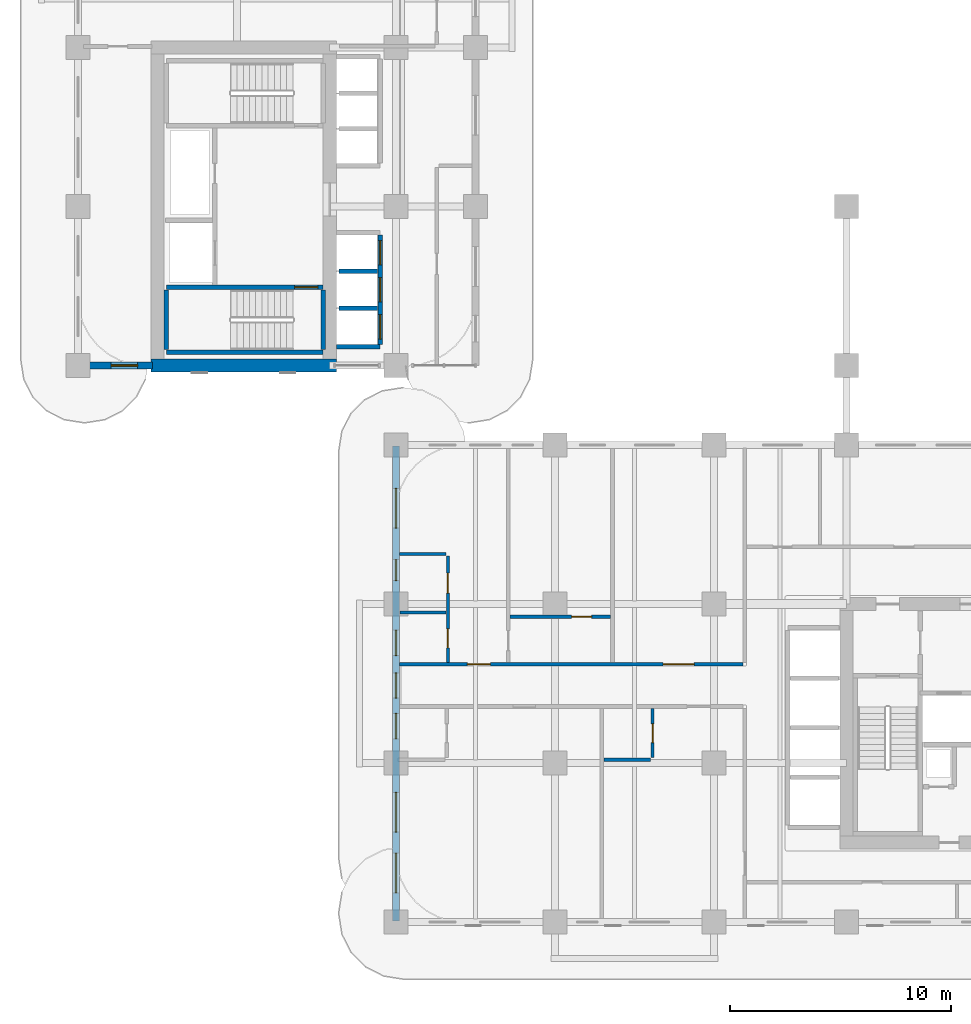
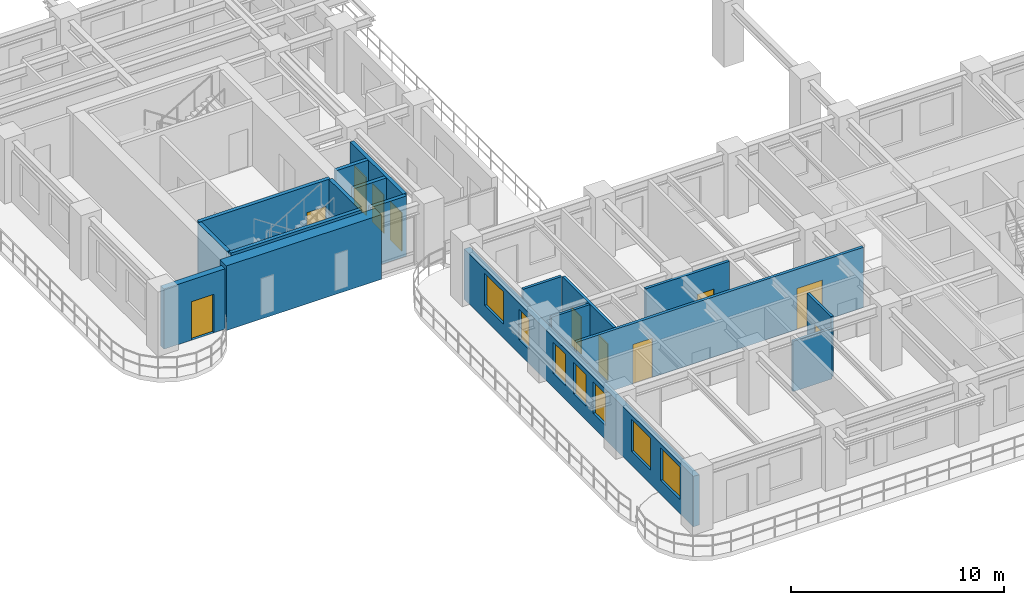
# One storey, part 7 of 19: 18 walls, 11 doors, 7 windows, 18 openings.
"""IFC4 building model written with IfcOpenShell, lengths in metres."""

from ifc_helpers import new_model, si_unit, derived_unit, direction, frame, frame_2d, origin, place, context, subcontext, project, spatial, rectangle, extrude, source, transform, mapped, material, layer, layer_set, type_object, type_shapes, element, fill, save


model = new_model("IFC4")

# Units and contexts
model_context = context("Model", 3, precision=1e-05, world=origin(), true_north=direction((0.0, 1.0)))
body_context = subcontext(model_context, "Body", "Model", "MODEL_VIEW")
ifc_project = project(units=[si_unit("LENGTHUNIT", "METRE"), si_unit("AREAUNIT", "SQUARE_METRE"), si_unit("VOLUMEUNIT", "CUBIC_METRE"), si_unit("PLANEANGLEUNIT", "RADIAN"), si_unit("MASSUNIT", "GRAM", prefix="KILO"), si_unit("THERMODYNAMICTEMPERATUREUNIT", "KELVIN"), si_unit("POWERUNIT", "WATT"), derived_unit("THERMALTRANSMITTANCEUNIT", [(si_unit("POWERUNIT", "WATT"), 1), (si_unit("AREAUNIT", "SQUARE_METRE"), -1), (si_unit("THERMODYNAMICTEMPERATUREUNIT", "KELVIN"), -1)])], contexts=[model_context])

# Site, building, storey
site_placement = place(None, origin())
site = spatial("IfcSite", under=ifc_project, at=site_placement, CompositionType="ELEMENT")
building_placement = place(site_placement, origin())
building = spatial("IfcBuilding", under=site, at=building_placement, Name="Zahravan Archway Hotel and Residences", CompositionType="ELEMENT")
storey_placement = place(building_placement, frame((0.0, 0.0, 47.199951171875)))
storey = spatial("IfcBuildingStorey", under=building, at=storey_placement, Name="L10", CompositionType="ELEMENT", Elevation=47.199951171875)

# Wall
ifc_material_1 = material(Name="Concrete C70/85", Category="concrete")
ifc_layer_1 = layer(ifc_material_1, 0.60009765625, Name="Concrete C70/85", Category="concrete")
ifc_layer_set_1 = layer_set([ifc_layer_1], Name="Concrete C70/85")
wall_type_1 = type_object("IfcWallType", Name="CW-CORE-600", PredefinedType="SHEAR", material=ifc_layer_set_1)
wall_1_placement = place(storey_placement, frame((3.300048828125, 25.199951171875, 0.0), z_axis=(0.0, 0.0, 1.0), x_axis=(1.0, 0.0, 0.0)))
element("IfcWall", 1, at=wall_1_placement, inside=storey, type_object=wall_type_1, Name="L10 Core B Shear S Wall 600 mm", PredefinedType="SHEAR", context=body_context, shape_type="SweptSolid", body=[
    extrude(rectangle(XDim=8.39990234375, YDim=0.60009765625, at=frame_2d((4.199951171875, 0.0))), origin(), (0.0, 0.0, 1.0), 3.699951171875),
])

# Wall, openings, windows
ifc_material_2 = material(Name="Agra Buff Sandstone & Insulated Backup", Category="masonry")
ifc_layer_2 = layer(ifc_material_2, 0.320068359375, Name="Agra Buff Sandstone & Insulated Backup", Category="masonry")
ifc_layer_set_2 = layer_set([ifc_layer_2], Name="Agra Buff Sandstone & Insulated Backup")
wall_type_2 = type_object("IfcWallType", Name="EW-SAND-320", PredefinedType="SOLIDWALL", material=ifc_layer_set_2)
wall_2_placement = place(storey_placement, frame((14.39990234375, 0.050048828125, 0.0), z_axis=(0.0, 0.0, 1.0), x_axis=(0.0, 1.0, 0.0)))
wall_2 = element("IfcWall", 2, at=wall_2_placement, inside=storey, type_object=wall_type_2, Name="L10 Exterior Sandstone Wall WA-W", PredefinedType="SOLIDWALL", context=body_context, shape_type="SweptSolid", body=[
    extrude(rectangle(XDim=21.5, YDim=0.320068359375, at=frame_2d((10.75, 0.0))), origin(), (0.0, 0.0, 1.0), 2.885009765625),
])
opening_1_placement = place(wall_2_placement, frame((1.27490234375, 0.0, 0.800048828125)))
opening_1 = element("IfcOpeningElement", 3, at=opening_1_placement, cuts=wall_2, Name="Opening W-02", PredefinedType="OPENING", context=body_context, shape_type="SweptSolid", body=[
    extrude(rectangle(XDim=1.800048828125, YDim=1.85009765625, at=frame_2d((0.89990234375, 0.925048828125))), frame((0.0, 0.169921875, 0.0), z_axis=(0.0, -1.0, 0.0), x_axis=(1.0, 0.0, 0.0)), (0.0, 0.0, 1.0), 0.340087890625),
])
opening_2_placement = place(wall_2_placement, frame((4.02490234375, 0.0, 0.800048828125)))
opening_2 = element("IfcOpeningElement", 4, at=opening_2_placement, cuts=wall_2, Name="Opening W-02", PredefinedType="OPENING", context=body_context, shape_type="SweptSolid", body=[
    extrude(rectangle(XDim=1.800048828125, YDim=1.85009765625, at=frame_2d((0.89990234375, 0.925048828125))), frame((0.0, 0.169921875, 0.0), z_axis=(0.0, -1.0, 0.0), x_axis=(1.0, 0.0, 0.0)), (0.0, 0.0, 1.0), 0.340087890625),
])
opening_3_placement = place(wall_2_placement, frame((8.24609375, 0.0, 0.800048828125)))
opening_3 = element("IfcOpeningElement", 5, at=opening_3_placement, cuts=wall_2, Name="Opening W-05", PredefinedType="OPENING", context=body_context, shape_type="SweptSolid", body=[
    extrude(rectangle(XDim=1.14990234375, YDim=1.800048828125, at=frame_2d((0.574951171875, 0.89990234375))), frame((0.0, 0.169921875, 0.0), z_axis=(0.0, -1.0, 0.0), x_axis=(1.0, 0.0, 0.0)), (0.0, 0.0, 1.0), 0.340087890625),
])
opening_4_placement = place(wall_2_placement, frame((10.0849609375, 0.0, 0.800048828125)))
opening_4 = element("IfcOpeningElement", 6, at=opening_4_placement, cuts=wall_2, Name="Opening W-05", PredefinedType="OPENING", context=body_context, shape_type="SweptSolid", body=[
    extrude(rectangle(XDim=1.14990234375, YDim=1.800048828125, at=frame_2d((0.574951171875, 0.89990234375))), frame((0.0, 0.169921875, 0.0), z_axis=(0.0, -1.0, 0.0), x_axis=(1.0, 0.0, 0.0)), (0.0, 0.0, 1.0), 0.340087890625),
])
opening_5_placement = place(wall_2_placement, frame((12.013916015625, 0.0, 0.800048828125)))
opening_5 = element("IfcOpeningElement", 7, at=opening_5_placement, cuts=wall_2, Name="Opening W-05", PredefinedType="OPENING", context=body_context, shape_type="SweptSolid", body=[
    extrude(rectangle(XDim=1.14990234375, YDim=1.800048828125, at=frame_2d((0.574951171875, 0.89990234375))), frame((0.0, 0.169921875, 0.0), z_axis=(0.0, -1.0, 0.0), x_axis=(1.0, 0.0, 0.0)), (0.0, 0.0, 1.0), 0.340087890625),
])
opening_6_placement = place(wall_2_placement, frame((15.406005859375, 0.0, 0.800048828125)))
opening_6 = element("IfcOpeningElement", 8, at=opening_6_placement, cuts=wall_2, Name="Opening W-04", PredefinedType="OPENING", context=body_context, shape_type="SweptSolid", body=[
    extrude(rectangle(XDim=0.949951171875, YDim=1.75, at=frame_2d((0.47509765625, 0.875))), frame((0.0, 0.169921875, 0.0), z_axis=(0.0, -1.0, 0.0), x_axis=(1.0, 0.0, 0.0)), (0.0, 0.0, 1.0), 0.340087890625),
])
opening_7_placement = place(wall_2_placement, frame((17.7890625, 0.0, 0.800048828125)))
opening_7 = element("IfcOpeningElement", 9, at=opening_7_placement, cuts=wall_2, Name="Opening W-02", PredefinedType="OPENING", context=body_context, shape_type="SweptSolid", body=[
    extrude(rectangle(XDim=1.800048828125, YDim=1.85009765625, at=frame_2d((0.89990234375, 0.925048828125))), frame((0.0, 0.169921875, 0.0), z_axis=(0.0, -1.0, 0.0), x_axis=(1.0, 0.0, 0.0)), (0.0, 0.0, 1.0), 0.340087890625),
])
ifc_material_3 = material(Name="Bronze-Anodized Thermal-Break Aluminium & Low-E Glass", Category="aluminium")
window_type_1 = type_object("IfcWindowType", Name="WIN-NAR-950", PartitioningType="SINGLE_PANEL", PredefinedType="WINDOW", material=ifc_material_3)
shared_shape_1 = source(origin(), body_context, "Body", "SweptSolid", [
    extrude(rectangle(XDim=0.949951171875, YDim=1.75, at=frame_2d((0.47509765625, 0.875))), frame((0.0, 0.030029296875, 0.0), z_axis=(0.0, -1.0, 0.0), x_axis=(1.0, 0.0, 0.0)), (0.0, 0.0, 1.0), 0.06005859375),
])
type_shapes(window_type_1, [shared_shape_1])
window_1_placement = place(opening_6_placement, origin())
window_1 = element("IfcWindow", 10, at=window_1_placement, inside=storey, type_object=window_type_1, Name="L10 Loggia Window 33", OverallHeight=1.75, OverallWidth=0.949951171875, PartitioningType="SINGLE_PANEL", PredefinedType="WINDOW", context=body_context, shape_type="MappedRepresentation", body=[
    mapped(shared_shape_1, transform((0.0, 0.0, 0.0), scale=1.0)),
])
fill(opening_6, window_1)
window_type_2 = type_object("IfcWindowType", Name="WIN-TWR-1800", PartitioningType="DOUBLE_PANEL_VERTICAL", PredefinedType="WINDOW", material=ifc_material_3)
shared_shape_2 = source(origin(), body_context, "Body", "SweptSolid", [
    extrude(rectangle(XDim=1.800048828125, YDim=1.85009765625, at=frame_2d((0.89990234375, 0.925048828125))), frame((0.0, 0.030029296875, 0.0), z_axis=(0.0, -1.0, 0.0), x_axis=(1.0, 0.0, 0.0)), (0.0, 0.0, 1.0), 0.06005859375),
])
type_shapes(window_type_2, [shared_shape_2])
window_2_placement = place(opening_1_placement, origin())
window_2 = element("IfcWindow", 11, at=window_2_placement, inside=storey, type_object=window_type_2, Name="L10 Loggia Window 28", OverallHeight=1.85009765625, OverallWidth=1.800048828125, PartitioningType="DOUBLE_PANEL_VERTICAL", PredefinedType="WINDOW", context=body_context, shape_type="MappedRepresentation", body=[
    mapped(shared_shape_2, transform((0.0, 0.0, 0.0), scale=1.0)),
])
fill(opening_1, window_2)
window_3_placement = place(opening_2_placement, origin())
window_3 = element("IfcWindow", 12, at=window_3_placement, inside=storey, type_object=window_type_2, Name="L10 Loggia Window 29", OverallHeight=1.85009765625, OverallWidth=1.800048828125, PartitioningType="DOUBLE_PANEL_VERTICAL", PredefinedType="WINDOW", context=body_context, shape_type="MappedRepresentation", body=[
    mapped(shared_shape_2, transform((0.0, 0.0, 0.0), scale=1.0)),
])
fill(opening_2, window_3)
window_4_placement = place(opening_7_placement, origin())
window_4 = element("IfcWindow", 13, at=window_4_placement, inside=storey, type_object=window_type_2, Name="L10 Loggia Window 34", OverallHeight=1.85009765625, OverallWidth=1.800048828125, PartitioningType="DOUBLE_PANEL_VERTICAL", PredefinedType="WINDOW", context=body_context, shape_type="MappedRepresentation", body=[
    mapped(shared_shape_2, transform((0.0, 0.0, 0.0), scale=1.0)),
])
fill(opening_7, window_4)
window_type_3 = type_object("IfcWindowType", Name="WIN-TWR-1150", PartitioningType="SINGLE_PANEL", PredefinedType="WINDOW", material=ifc_material_3)
shared_shape_3 = source(origin(), body_context, "Body", "SweptSolid", [
    extrude(rectangle(XDim=1.14990234375, YDim=1.800048828125, at=frame_2d((0.574951171875, 0.89990234375))), frame((0.0, 0.030029296875, 0.0), z_axis=(0.0, -1.0, 0.0), x_axis=(1.0, 0.0, 0.0)), (0.0, 0.0, 1.0), 0.06005859375),
])
type_shapes(window_type_3, [shared_shape_3])
window_5_placement = place(opening_3_placement, origin())
window_5 = element("IfcWindow", 14, at=window_5_placement, inside=storey, type_object=window_type_3, Name="L10 Loggia Window 30", OverallHeight=1.800048828125, OverallWidth=1.14990234375, PartitioningType="SINGLE_PANEL", PredefinedType="WINDOW", context=body_context, shape_type="MappedRepresentation", body=[
    mapped(shared_shape_3, transform((0.0, 0.0, 0.0), scale=1.0)),
])
fill(opening_3, window_5)
window_6_placement = place(opening_4_placement, origin())
window_6 = element("IfcWindow", 15, at=window_6_placement, inside=storey, type_object=window_type_3, Name="L10 Loggia Window 31", OverallHeight=1.800048828125, OverallWidth=1.14990234375, PartitioningType="SINGLE_PANEL", PredefinedType="WINDOW", context=body_context, shape_type="MappedRepresentation", body=[
    mapped(shared_shape_3, transform((0.0, 0.0, 0.0), scale=1.0)),
])
fill(opening_4, window_6)
window_7_placement = place(opening_5_placement, origin())
window_7 = element("IfcWindow", 16, at=window_7_placement, inside=storey, type_object=window_type_3, Name="L10 Loggia Window 32", OverallHeight=1.800048828125, OverallWidth=1.14990234375, PartitioningType="SINGLE_PANEL", PredefinedType="WINDOW", context=body_context, shape_type="MappedRepresentation", body=[
    mapped(shared_shape_3, transform((0.0, 0.0, 0.0), scale=1.0)),
])
fill(opening_5, window_7)

# Wall, opening, door
wall_3_placement = place(storey_placement, frame((0.0, 25.199951171875, 0.0), z_axis=(0.0, 0.0, 1.0), x_axis=(1.0, 0.0, 0.0)))
wall_3 = element("IfcWall", 17, at=wall_3_placement, inside=storey, type_object=wall_type_2, Name="L10 Exterior Sandstone Wall WB-SW", PredefinedType="SOLIDWALL", context=body_context, shape_type="SweptSolid", body=[
    extrude(rectangle(XDim=3.3798828125, YDim=0.320068359375, at=frame_2d((1.68994140625, 0.0))), origin(), (0.0, 0.0, 1.0), 3.449951171875),
])
opening_8_placement = place(wall_3_placement, frame((1.5, 0.0, 0.0)))
opening_8 = element("IfcOpeningElement", 18, at=opening_8_placement, cuts=wall_3, Name="Opening ED-BL1", PredefinedType="OPENING", context=body_context, shape_type="SweptSolid", body=[
    extrude(rectangle(XDim=1.199951171875, YDim=2.199951171875, at=frame_2d((0.60009765625, 1.10009765625))), frame((0.0, 0.169921875, 0.0), z_axis=(0.0, -1.0, 0.0), x_axis=(1.0, 0.0, 0.0)), (0.0, 0.0, 1.0), 0.340087890625),
])
ifc_material_4 = material(Name="Bronze-Anodized Glazed Aluminium", Category="aluminium")
door_type_1 = type_object("IfcDoorType", Name="ED-BALC-1200", OperationType="SLIDING_TO_LEFT", PredefinedType="DOOR", material=ifc_material_4)
shared_shape_4 = source(origin(), body_context, "Body", "SweptSolid", [
    extrude(rectangle(XDim=1.199951171875, YDim=2.199951171875, at=frame_2d((0.60009765625, 1.10009765625))), frame((0.0, 0.02490234375, 0.0), z_axis=(0.0, -1.0, 0.0), x_axis=(1.0, 0.0, 0.0)), (0.0, 0.0, 1.0), 0.050048828125),
])
type_shapes(door_type_1, [shared_shape_4])
door_1_placement = place(opening_8_placement, origin())
door_1 = element("IfcDoor", 19, at=door_1_placement, inside=storey, type_object=door_type_1, Name="L10 Outdoor Access Sliding Door (SLB-BAL-L10-WB)", OperationType="SLIDING_TO_LEFT", OverallHeight=2.199951171875, OverallWidth=1.199951171875, PredefinedType="DOOR", context=body_context, shape_type="MappedRepresentation", body=[
    mapped(shared_shape_4, transform((0.0, 0.0, 0.0), scale=1.0)),
])
fill(opening_8, door_1)

# Wall, openings, doors
ifc_material_5 = material(Name="Fire-Rated Gypsum & Concrete Block", Category="concrete")
ifc_layer_3 = layer(ifc_material_5, 0.159912109375, Name="Fire-Rated Gypsum & Concrete Block", Category="concrete")
ifc_layer_set_3 = layer_set([ifc_layer_3], Name="Fire-Rated Gypsum & Concrete Block")
wall_type_3 = type_object("IfcWallType", Name="PW-CORR-160", PredefinedType="PARTITIONING", material=ifc_layer_set_3)
wall_4_placement = place(storey_placement, frame((14.568115234375, 11.669921875, 0.0), z_axis=(0.0, 0.0, 1.0), x_axis=(1.0, 0.0, 0.0)))
wall_4 = element("IfcWall", 20, at=wall_4_placement, inside=storey, type_object=wall_type_3, Name="L10 Partition WA-CN", PredefinedType="PARTITIONING", context=body_context, shape_type="SweptSolid", body=[
    extrude(rectangle(XDim=15.5419921875, YDim=0.159912109375, at=frame_2d((7.77099609375, 0.0))), origin(), (0.0, 0.0, 1.0), 3.449951171875),
])
opening_9_placement = place(wall_4_placement, frame((3.06201171875, 0.0, 0.0)))
opening_9 = element("IfcOpeningElement", 21, at=opening_9_placement, cuts=wall_4, Name="Opening D-U1", PredefinedType="OPENING", context=body_context, shape_type="SweptSolid", body=[
    extrude(rectangle(XDim=1.050048828125, YDim=2.25, at=frame_2d((0.52490234375, 1.125))), frame((0.0, 0.08984375, 0.0), z_axis=(0.0, -1.0, 0.0), x_axis=(1.0, 0.0, 0.0)), (0.0, 0.0, 1.0), 0.179931640625),
])
opening_10_placement = place(wall_4_placement, frame((11.931884765625, 0.0, 0.0)))
opening_10 = element("IfcOpeningElement", 22, at=opening_10_placement, cuts=wall_4, Name="Opening D-P1", PredefinedType="OPENING", context=body_context, shape_type="SweptSolid", body=[
    extrude(rectangle(XDim=1.39990234375, YDim=2.35009765625, at=frame_2d((0.699951171875, 1.175048828125))), frame((0.0, 0.08984375, 0.0), z_axis=(0.0, -1.0, 0.0), x_axis=(1.0, 0.0, 0.0)), (0.0, 0.0, 1.0), 0.179931640625),
])
door_type_2 = type_object("IfcDoorType", Name="ID-PUBLIC-1400", OperationType="DOUBLE_DOOR_SINGLE_SWING", PredefinedType="DOOR", material=ifc_material_4)
shared_shape_5 = source(origin(), body_context, "Body", "SweptSolid", [
    extrude(rectangle(XDim=1.39990234375, YDim=2.35009765625, at=frame_2d((0.699951171875, 1.175048828125))), frame((0.0, 0.02490234375, 0.0), z_axis=(0.0, -1.0, 0.0), x_axis=(1.0, 0.0, 0.0)), (0.0, 0.0, 1.0), 0.050048828125),
])
type_shapes(door_type_2, [shared_shape_5])
door_2_placement = place(opening_10_placement, origin())
door_2 = element("IfcDoor", 23, at=door_2_placement, inside=storey, type_object=door_type_2, Name="L10 Portal Majlis Door", OperationType="DOUBLE_DOOR_SINGLE_SWING", OverallHeight=2.35009765625, OverallWidth=1.39990234375, PredefinedType="DOOR", context=body_context, shape_type="MappedRepresentation", body=[
    mapped(shared_shape_5, transform((0.0, 0.0, 0.0), scale=1.0)),
])
fill(opening_10, door_2)
ifc_material_6 = material(Name="Hardwood Veneer Timber", Category="wood")
door_type_3 = type_object("IfcDoorType", Name="ID-UNIT-1050", OperationType="NOTDEFINED", PredefinedType="DOOR", material=ifc_material_6)
shared_shape_6 = source(origin(), body_context, "Body", "SweptSolid", [
    extrude(rectangle(XDim=1.050048828125, YDim=2.25, at=frame_2d((0.52490234375, 1.125))), frame((0.0, 0.02490234375, 0.0), z_axis=(0.0, -1.0, 0.0), x_axis=(1.0, 0.0, 0.0)), (0.0, 0.0, 1.0), 0.050048828125),
])
type_shapes(door_type_3, [shared_shape_6])
door_3_placement = place(opening_9_placement, origin())
door_3 = element("IfcDoor", 24, at=door_3_placement, inside=storey, type_object=door_type_3, Name="L10 Flat PN1 Entrance Door", OperationType="SINGLE_SWING_RIGHT", OverallHeight=2.25, OverallWidth=1.050048828125, PredefinedType="DOOR", context=body_context, shape_type="MappedRepresentation", body=[
    mapped(shared_shape_6, transform((0.0, 0.0, 0.0), scale=1.0)),
])
fill(opening_9, door_3)

# Wall
ifc_layer_4 = layer(ifc_material_5, 0.199951171875, Name="Fire-Rated Gypsum & Concrete Block", Category="concrete")
ifc_layer_set_4 = layer_set([ifc_layer_4], Name="Fire-Rated Gypsum & Concrete Block")
wall_type_4 = type_object("IfcWallType", Name="PW-SHAFT-200", PredefinedType="PARTITIONING", material=ifc_layer_set_4)
wall_5_placement = place(storey_placement, frame((11.7099609375, 26.050048828125, 0.0), z_axis=(0.0, 0.0, 1.0), x_axis=(1.0, 0.0, 0.0)))
element("IfcWall", 25, at=wall_5_placement, inside=storey, type_object=wall_type_4, Name="L10 Partition B1-S", PredefinedType="PARTITIONING", context=body_context, shape_type="SweptSolid", body=[
    extrude(rectangle(XDim=1.9599609375, YDim=0.199951171875, at=frame_2d((0.97998046875, 0.0))), origin(), (0.0, 0.0, 1.0), 3.449951171875),
])

# Wall, openings, doors
wall_6_placement = place(storey_placement, frame((13.679931640625, 26.159912109375, 0.0), z_axis=(0.0, 0.0, 1.0), x_axis=(0.0, 1.0, 0.0)))
wall_6 = element("IfcWall", 26, at=wall_6_placement, inside=storey, type_object=wall_type_4, Name="L10 Partition B1-E", PredefinedType="PARTITIONING", context=body_context, shape_type="SweptSolid", body=[
    extrude(rectangle(XDim=4.940185546875, YDim=0.199951171875, at=frame_2d((2.47021484375, 0.0))), origin(), (0.0, 0.0, 1.0), 3.449951171875),
])
opening_11_placement = place(wall_6_placement, frame((0.239990234375, 0.0, 0.0)))
opening_11 = element("IfcOpeningElement", 27, at=opening_11_placement, cuts=wall_6, Name="Opening LD", PredefinedType="OPENING", context=body_context, shape_type="SweptSolid", body=[
    extrude(rectangle(XDim=1.10009765625, YDim=2.199951171875, at=frame_2d((0.550048828125, 1.10009765625))), frame((0.0, 0.10986328125, 0.0), z_axis=(0.0, -1.0, 0.0), x_axis=(1.0, 0.0, 0.0)), (0.0, 0.0, 1.0), 0.219970703125),
])
opening_12_placement = place(wall_6_placement, frame((1.919921875, 0.0, 0.0)))
opening_12 = element("IfcOpeningElement", 28, at=opening_12_placement, cuts=wall_6, Name="Opening LD", PredefinedType="OPENING", context=body_context, shape_type="SweptSolid", body=[
    extrude(rectangle(XDim=1.10009765625, YDim=2.199951171875, at=frame_2d((0.550048828125, 1.10009765625))), frame((0.0, 0.10986328125, 0.0), z_axis=(0.0, -1.0, 0.0), x_axis=(1.0, 0.0, 0.0)), (0.0, 0.0, 1.0), 0.219970703125),
])
opening_13_placement = place(wall_6_placement, frame((3.60009765625, 0.0, 0.0)))
opening_13 = element("IfcOpeningElement", 29, at=opening_13_placement, cuts=wall_6, Name="Opening LD", PredefinedType="OPENING", context=body_context, shape_type="SweptSolid", body=[
    extrude(rectangle(XDim=1.10009765625, YDim=2.199951171875, at=frame_2d((0.550048828125, 1.10009765625))), frame((0.0, 0.10986328125, 0.0), z_axis=(0.0, -1.0, 0.0), x_axis=(1.0, 0.0, 0.0)), (0.0, 0.0, 1.0), 0.219970703125),
])
ifc_material_7 = material(Name="Brushed Stainless Steel", Category="steel")
door_type_4 = type_object("IfcDoorType", Name="DR-LIFT-LD", OperationType="SLIDING_TO_LEFT", PredefinedType="DOOR", material=ifc_material_7)
shared_shape_7 = source(origin(), body_context, "Body", "SweptSolid", [
    extrude(rectangle(XDim=1.10009765625, YDim=2.199951171875, at=frame_2d((0.550048828125, 1.10009765625))), frame((0.0, 0.02490234375, 0.0), z_axis=(0.0, -1.0, 0.0), x_axis=(1.0, 0.0, 0.0)), (0.0, 0.0, 1.0), 0.050048828125),
])
type_shapes(door_type_4, [shared_shape_7])
door_4_placement = place(opening_11_placement, origin())
door_4 = element("IfcDoor", 30, at=door_4_placement, inside=storey, type_object=door_type_4, Name="L10 Lift LP-1 Sliding Landing Door", OperationType="SLIDING_TO_LEFT", OverallHeight=2.199951171875, OverallWidth=1.10009765625, PredefinedType="DOOR", context=body_context, shape_type="MappedRepresentation", body=[
    mapped(shared_shape_7, transform((0.0, 0.0, 0.0), scale=1.0)),
])
fill(opening_11, door_4)
door_5_placement = place(opening_12_placement, origin())
door_5 = element("IfcDoor", 31, at=door_5_placement, inside=storey, type_object=door_type_4, Name="L10 Lift LP-2 Sliding Landing Door", OperationType="SLIDING_TO_LEFT", OverallHeight=2.199951171875, OverallWidth=1.10009765625, PredefinedType="DOOR", context=body_context, shape_type="MappedRepresentation", body=[
    mapped(shared_shape_7, transform((0.0, 0.0, 0.0), scale=1.0)),
])
fill(opening_12, door_5)
door_6_placement = place(opening_13_placement, origin())
door_6 = element("IfcDoor", 32, at=door_6_placement, inside=storey, type_object=door_type_4, Name="L10 Lift LP-3 Sliding Landing Door", OperationType="SLIDING_TO_LEFT", OverallHeight=2.199951171875, OverallWidth=1.10009765625, PredefinedType="DOOR", context=body_context, shape_type="MappedRepresentation", body=[
    mapped(shared_shape_7, transform((0.0, 0.0, 0.0), scale=1.0)),
])
fill(opening_13, door_6)

# Walls
for number, where, z_axis, x_axis, name in (
    (33, (11.81005859375, 27.7900390625, 0.0), (0.0, 0.0, 1.0), (1.0, 0.0, 0.0), "L10 Partition B1-D"),
    (34, (11.81005859375, 29.469970703125, 0.0), (0.0, 0.0, 1.0), (1.0, 0.0, 0.0), "L10 Partition B1-D"),
):
    element("IfcWall", number, at=place(storey_placement, frame(where, z_axis=z_axis, x_axis=x_axis)), inside=storey, type_object=wall_type_4, Name=name, PredefinedType="PARTITIONING", context=body_context, shape_type="SweptSolid", body=[
        extrude(rectangle(XDim=1.760009765625, YDim=0.199951171875, at=frame_2d((0.8798828125, 0.0))), origin(), (0.0, 0.0, 1.0), 3.449951171875),
    ])

# Wall, opening, door
ifc_material_8 = material(Name="Acoustic Stud Partition")
ifc_layer_5 = layer(ifc_material_8, 0.14990234375, Name="Acoustic Stud Partition")
ifc_layer_set_5 = layer_set([ifc_layer_5], Name="Acoustic Stud Partition")
wall_type_5 = type_object("IfcWallType", Name="PW-UNIT-150", PredefinedType="PARTITIONING", material=ifc_layer_set_5)
wall_7_placement = place(storey_placement, frame((19.570068359375, 13.820068359375, 0.0), z_axis=(0.0, 0.0, 1.0), x_axis=(1.0, 0.0, 0.0)))
wall_7 = element("IfcWall", 35, at=wall_7_placement, inside=storey, type_object=wall_type_5, Name="L10 Partition FL-PN1-GH", PredefinedType="PARTITIONING", context=body_context, shape_type="SweptSolid", body=[
    extrude(rectangle(XDim=4.5400390625, YDim=0.14990234375, at=frame_2d((2.27001953125, 0.0))), origin(), (0.0, 0.0, 1.0), 3.449951171875),
])
opening_14_placement = place(wall_7_placement, frame((2.788330078125, 0.0, 0.0)))
opening_14 = element("IfcOpeningElement", 36, at=opening_14_placement, cuts=wall_7, Name="Opening D-I2", PredefinedType="OPENING", context=body_context, shape_type="SweptSolid", body=[
    extrude(rectangle(XDim=0.89990234375, YDim=2.14990234375, at=frame_2d((0.449951171875, 1.074951171875))), frame((0.0, 0.0849609375, 0.0), z_axis=(0.0, -1.0, 0.0), x_axis=(1.0, 0.0, 0.0)), (0.0, 0.0, 1.0), 0.169921875),
])
door_type_5 = type_object("IfcDoorType", Name="ID-INT-900", OperationType="NOTDEFINED", PredefinedType="DOOR", material=ifc_material_6)
shared_shape_8 = source(origin(), body_context, "Body", "SweptSolid", [
    extrude(rectangle(XDim=0.89990234375, YDim=2.14990234375, at=frame_2d((0.449951171875, 1.074951171875))), frame((0.0, 0.02490234375, 0.0), z_axis=(0.0, -1.0, 0.0), x_axis=(1.0, 0.0, 0.0)), (0.0, 0.0, 1.0), 0.050048828125),
])
type_shapes(door_type_5, [shared_shape_8])
door_7_placement = place(opening_14_placement, origin())
door_7 = element("IfcDoor", 37, at=door_7_placement, inside=storey, type_object=door_type_5, Name="L10 Flat PN1 Bedroom 1 Door", OperationType="SINGLE_SWING_RIGHT", OverallHeight=2.14990234375, OverallWidth=0.89990234375, PredefinedType="DOOR", context=body_context, shape_type="MappedRepresentation", body=[
    mapped(shared_shape_8, transform((0.0, 0.0, 0.0), scale=1.0)),
])
fill(opening_14, door_7)

ifc_material_9 = material(Name="Moisture-Resistant Blockwork", Category="masonry")
ifc_layer_6 = layer(ifc_material_9, 0.139892578125, Name="Moisture-Resistant Blockwork", Category="masonry")
ifc_layer_set_6 = layer_set([ifc_layer_6], Name="Moisture-Resistant Blockwork")
wall_type_6 = type_object("IfcWallType", Name="PW-WET-140", PredefinedType="PARTITIONING", material=ifc_layer_set_6)
wall_8_placement = place(storey_placement, frame((26.02001953125, 7.43994140625, 0.0), z_axis=(0.0, 0.0, 1.0), x_axis=(0.0, 1.0, 0.0)))
wall_8 = element("IfcWall", 38, at=wall_8_placement, inside=storey, type_object=wall_type_6, Name="L10 Partition HKB-V12", PredefinedType="PARTITIONING", context=body_context, shape_type="SweptSolid", body=[
    extrude(rectangle(XDim=2.219970703125, YDim=0.139892578125, at=frame_2d((1.10986328125, 0.0))), origin(), (0.0, 0.0, 1.0), 3.449951171875),
])
opening_15_placement = place(wall_8_placement, frame((0.68505859375, 0.0, 0.0)))
opening_15 = element("IfcOpeningElement", 39, at=opening_15_placement, cuts=wall_8, Name="Opening D-B1", PredefinedType="OPENING", context=body_context, shape_type="SweptSolid", body=[
    extrude(rectangle(XDim=0.85009765625, YDim=2.10009765625, at=frame_2d((0.425048828125, 1.050048828125))), frame((0.0, 0.080078125, 0.0), z_axis=(0.0, -1.0, 0.0), x_axis=(1.0, 0.0, 0.0)), (0.0, 0.0, 1.0), 0.159912109375),
])
door_type_6 = type_object("IfcDoorType", Name="ID-BATH-850", OperationType="NOTDEFINED", PredefinedType="DOOR", material=ifc_material_6)
shared_shape_9 = source(origin(), body_context, "Body", "SweptSolid", [
    extrude(rectangle(XDim=0.85009765625, YDim=2.10009765625, at=frame_2d((0.425048828125, 1.050048828125))), frame((0.0, 0.02490234375, 0.0), z_axis=(0.0, -1.0, 0.0), x_axis=(1.0, 0.0, 0.0)), (0.0, 0.0, 1.0), 0.050048828125),
])
type_shapes(door_type_6, [shared_shape_9])
door_8_placement = place(opening_15_placement, origin())
door_8 = element("IfcDoor", 40, at=door_8_placement, inside=storey, type_object=door_type_6, Name="L10 Guestroom 12 En-Suite Door", OperationType="SINGLE_SWING_RIGHT", OverallHeight=2.10009765625, OverallWidth=0.85009765625, PredefinedType="DOOR", context=body_context, shape_type="MappedRepresentation", body=[
    mapped(shared_shape_9, transform((0.0, 0.0, 0.0), scale=1.0)),
])
fill(opening_15, door_8)

# Wall
wall_9_placement = place(storey_placement, frame((23.81005859375, 7.35009765625, 0.0), z_axis=(0.0, 0.0, 1.0), x_axis=(1.0, 0.0, 0.0)))
element("IfcWall", 41, at=wall_9_placement, inside=storey, type_object=wall_type_6, Name="L10 Partition HKB-H12", PredefinedType="PARTITIONING", context=body_context, shape_type="SweptSolid", body=[
    extrude(rectangle(XDim=2.119873046875, YDim=0.139892578125, at=frame_2d((1.06005859375, 0.0))), origin(), (0.0, 0.0, 1.0), 2.885009765625),
])

# Wall, openings, doors
wall_10_placement = place(storey_placement, frame((16.75, 11.760009765625, 0.0), z_axis=(0.0, 0.0, 1.0), x_axis=(0.0, 1.0, 0.0)))
wall_10 = element("IfcWall", 42, at=wall_10_placement, inside=storey, type_object=wall_type_6, Name="L10 Partition FL-PN1-BV", PredefinedType="PARTITIONING", context=body_context, shape_type="SweptSolid", body=[
    extrude(rectangle(XDim=4.820068359375, YDim=0.139892578125, at=frame_2d((2.41015625, 0.0))), origin(), (0.0, 0.0, 1.0), 3.449951171875),
])
opening_16_placement = place(wall_10_placement, frame((0.659912109375, 0.0, 0.0)))
opening_16 = element("IfcOpeningElement", 43, at=opening_16_placement, cuts=wall_10, Name="Opening D-B1", PredefinedType="OPENING", context=body_context, shape_type="SweptSolid", body=[
    extrude(rectangle(XDim=0.85009765625, YDim=2.10009765625, at=frame_2d((0.425048828125, 1.050048828125))), frame((0.0, 0.080078125, 0.0), z_axis=(0.0, -1.0, 0.0), x_axis=(1.0, 0.0, 0.0)), (0.0, 0.0, 1.0), 0.159912109375),
])
opening_17_placement = place(wall_10_placement, frame((3.135009765625, 0.0, 0.0)))
opening_17 = element("IfcOpeningElement", 44, at=opening_17_placement, cuts=wall_10, Name="Opening D-I2", PredefinedType="OPENING", context=body_context, shape_type="SweptSolid", body=[
    extrude(rectangle(XDim=0.89990234375, YDim=2.14990234375, at=frame_2d((0.449951171875, 1.074951171875))), frame((0.0, 0.080078125, 0.0), z_axis=(0.0, -1.0, 0.0), x_axis=(1.0, 0.0, 0.0)), (0.0, 0.0, 1.0), 0.159912109375),
])
door_9_placement = place(opening_16_placement, origin())
door_9 = element("IfcDoor", 45, at=door_9_placement, inside=storey, type_object=door_type_6, Name="L10 Flat PN1 Bathroom Door", OperationType="SINGLE_SWING_RIGHT", OverallHeight=2.10009765625, OverallWidth=0.85009765625, PredefinedType="DOOR", context=body_context, shape_type="MappedRepresentation", body=[
    mapped(shared_shape_9, transform((0.0, 0.0, 0.0), scale=1.0)),
])
fill(opening_16, door_9)
door_10_placement = place(opening_17_placement, origin())
door_10 = element("IfcDoor", 46, at=door_10_placement, inside=storey, type_object=door_type_5, Name="L10 Flat PN1 Kitchen Door", OperationType="SINGLE_SWING_LEFT", OverallHeight=2.14990234375, OverallWidth=0.89990234375, PredefinedType="DOOR", context=body_context, shape_type="MappedRepresentation", body=[
    mapped(shared_shape_8, transform((0.0, 0.0, 0.0), scale=1.0)),
])
fill(opening_17, door_10)

# Walls
wall_11_placement = place(storey_placement, frame((14.590087890625, 14.02001953125, 0.0), z_axis=(0.0, 0.0, 1.0), x_axis=(1.0, 0.0, 0.0)))
element("IfcWall", 47, at=wall_11_placement, inside=storey, type_object=wall_type_6, Name="L10 Partition FL-PN1-BM", PredefinedType="PARTITIONING", context=body_context, shape_type="SweptSolid", body=[
    extrude(rectangle(XDim=2.06982421875, YDim=0.139892578125, at=frame_2d((1.034912109375, 0.0))), origin(), (0.0, 0.0, 1.0), 3.449951171875),
])
wall_12_placement = place(storey_placement, frame((14.568115234375, 16.669921875, 0.0), z_axis=(0.0, 0.0, 1.0), x_axis=(1.0, 0.0, 0.0)))
element("IfcWall", 48, at=wall_12_placement, inside=storey, type_object=wall_type_6, Name="L10 Partition FL-PN1-KH", PredefinedType="PARTITIONING", context=body_context, shape_type="SweptSolid", body=[
    extrude(rectangle(XDim=2.091796875, YDim=0.139892578125, at=frame_2d((1.0458984375, 0.0))), origin(), (0.0, 0.0, 1.0), 3.449951171875),
])
ifc_material_10 = material(Name="Concrete C50/60", Category="concrete")
ifc_layer_7 = layer(ifc_material_10, 0.199951171875, Name="Concrete C50/60", Category="concrete")
ifc_layer_set_7 = layer_set([ifc_layer_7], Name="Concrete C50/60")
wall_type_7 = type_object("IfcWallType", Name="SW-STAIR-200", PredefinedType="SHEAR", material=ifc_layer_set_7)
wall_13_placement = place(storey_placement, frame((4.0, 25.800048828125, 0.0), z_axis=(0.0, 0.0, 1.0), x_axis=(1.0, 0.0, 0.0)))
element("IfcWall", 49, at=wall_13_placement, inside=storey, type_object=wall_type_7, Name="L10 Stairwell RC Wall CB-SB1S", PredefinedType="SHEAR", context=body_context, shape_type="SweptSolid", body=[
    extrude(rectangle(XDim=7.10009765625, YDim=0.199951171875, at=frame_2d((3.550048828125, 0.0))), origin(), (0.0, 0.0, 1.0), 3.699951171875),
])
for number, where, z_axis, x_axis, name in (
    (50, (4.0, 25.919921875, 0.0), (0.0, 0.0, 1.0), (0.0, 1.0, 0.0), "L10 Stairwell RC Wall CB-SB1W"),
    (51, (11.10009765625, 25.919921875, 0.0), (0.0, 0.0, 1.0), (0.0, 1.0, 0.0), "L10 Stairwell RC Wall CB-SB1E"),
):
    element("IfcWall", number, at=place(storey_placement, frame(where, z_axis=z_axis, x_axis=x_axis)), inside=storey, type_object=wall_type_7, Name=name, PredefinedType="SHEAR", context=body_context, shape_type="SweptSolid", body=[
        extrude(rectangle(XDim=2.7001953125, YDim=0.199951171875, at=frame_2d((1.35009765625, 0.0))), origin(), (0.0, 0.0, 1.0), 3.699951171875),
    ])

# Wall, opening, door
wall_14_placement = place(storey_placement, frame((4.0, 28.739990234375, 0.0), z_axis=(0.0, 0.0, 1.0), x_axis=(1.0, 0.0, 0.0)))
wall_14 = element("IfcWall", 52, at=wall_14_placement, inside=storey, type_object=wall_type_7, Name="L10 Stairwell RC Wall CB-SB1N", PredefinedType="SHEAR", context=body_context, shape_type="SweptSolid", body=[
    extrude(rectangle(XDim=7.10009765625, YDim=0.199951171875, at=frame_2d((3.550048828125, 0.0))), origin(), (0.0, 0.0, 1.0), 3.699951171875),
])
opening_18_placement = place(wall_14_placement, frame((5.81494140625, 0.0, 0.0)))
opening_18 = element("IfcOpeningElement", 53, at=opening_18_placement, cuts=wall_14, Name="Opening FD-S1", PredefinedType="OPENING", context=body_context, shape_type="SweptSolid", body=[
    extrude(rectangle(XDim=1.050048828125, YDim=2.199951171875, at=frame_2d((0.52490234375, 1.10009765625))), frame((0.0, 0.10986328125, 0.0), z_axis=(0.0, -1.0, 0.0), x_axis=(1.0, 0.0, 0.0)), (0.0, 0.0, 1.0), 0.219970703125),
])
ifc_material_11 = material(Name="Fire-Rated Painted Steel", Category="steel")
door_type_7 = type_object("IfcDoorType", Name="FD-STAIR-1100", OperationType="NOTDEFINED", PredefinedType="DOOR", material=ifc_material_11)
shared_shape_10 = source(origin(), body_context, "Body", "SweptSolid", [
    extrude(rectangle(XDim=1.050048828125, YDim=2.199951171875, at=frame_2d((0.52490234375, 1.10009765625))), frame((0.0, 0.02490234375, 0.0), z_axis=(0.0, -1.0, 0.0), x_axis=(1.0, 0.0, 0.0)), (0.0, 0.0, 1.0), 0.050048828125),
])
type_shapes(door_type_7, [shared_shape_10])
door_11_placement = place(opening_18_placement, origin())
door_11 = element("IfcDoor", 54, at=door_11_placement, inside=storey, type_object=door_type_7, Name="L10 Stair ST-B1 Door", OperationType="SINGLE_SWING_RIGHT", OverallHeight=2.199951171875, OverallWidth=1.050048828125, PredefinedType="DOOR", context=body_context, shape_type="MappedRepresentation", body=[
    mapped(shared_shape_10, transform((0.0, 0.0, 0.0), scale=1.0)),
])
fill(opening_18, door_11)

save(model, "model.ifc")
